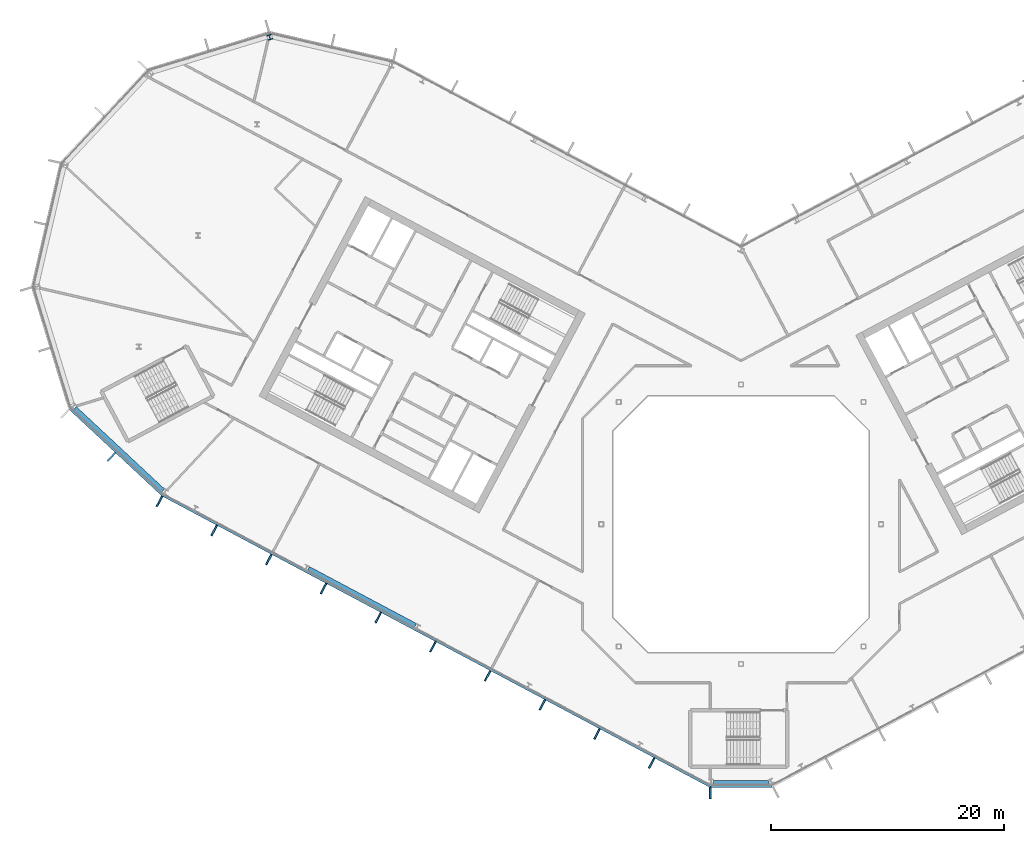
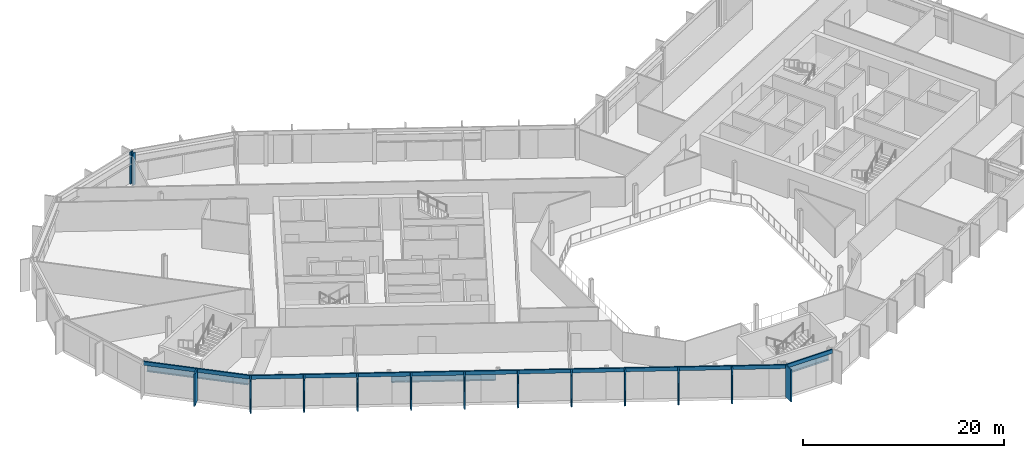
# One storey, part 8 of 27: 15 members, 3 beams, 1 column, 3 elements without a shape of their own.
"""IFC4 building model written with IfcOpenShell, lengths in metres."""

from ifc_helpers import new_model, si_unit, direction, frame, origin, origin_2d, place, context, subcontext, project, spatial, rectangle, i_section, extrude, material, layer, layer_set, material_profile, profile_set, type_object, element, aggregate, save


model = new_model("IFC4")

# Units and contexts
model_context = context("Model", 3, precision=1e-05, world=origin(), true_north=direction((0.0, 1.0)))
body_context = subcontext(model_context, "Body", "Model", "MODEL_VIEW")
ifc_project = project(units=[si_unit("LENGTHUNIT", "METRE"), si_unit("AREAUNIT", "SQUARE_METRE"), si_unit("VOLUMEUNIT", "CUBIC_METRE"), si_unit("PLANEANGLEUNIT", "RADIAN"), si_unit("MASSUNIT", "GRAM", prefix="KILO")], contexts=[model_context])

# Site, building, storey
site_placement = place(None, origin())
site = spatial("IfcSite", under=ifc_project, at=site_placement, CompositionType="ELEMENT")
building_placement = place(site_placement, origin())
building = spatial("IfcBuilding", under=site, at=building_placement, Name="Cormorant Relay Tower", CompositionType="ELEMENT")
storey_placement = place(building_placement, frame((0.0, 0.0, 240.300048828125)))
storey = spatial("IfcBuildingStorey", under=building, at=storey_placement, Name="L53", CompositionType="ELEMENT", Elevation=240.300048828125)

# Column
ifc_material_1 = material(Name="Steel ASTM A992 (Fy 345 MPa)", Category="steel")
ifc_material_profile_1 = material_profile(ifc_material_1, i_section(OverallWidth=0.41162109375, OverallDepth=0.434326171875, WebThickness=0.035888671875, FlangeThickness=0.057373046875, FilletRadius=0.01513671875, at=origin_2d()), Name="W360x463")
ifc_profile_set_1 = profile_set([ifc_material_profile_1], Name="Steel ASTM A992 (Fy 345 MPa)")
column_type = type_object("IfcColumnType", Name="Column W360x463", PredefinedType="COLUMN", material=ifc_profile_set_1)
column_placement = place(storey_placement, frame((-40.455078125, 41.803955078125, 0.0), z_axis=(0.0, 0.0, 1.0), x_axis=(-0.956304755963, -0.292371704723, 0.0)))
element("IfcColumn", 1, at=column_placement, inside=storey, type_object=column_type, Name="Column L53-045", PredefinedType="COLUMN", context=body_context, shape_type="SweptSolid", body=[
    extrude(i_section(OverallWidth=0.41162109375, OverallDepth=0.434326171875, WebThickness=0.035888671875, FlangeThickness=0.057373046875, FilletRadius=0.01513671875, at=origin_2d()), origin(), (0.0, 0.0, 1.0), 3.89990234375),
])

# Curtain wall, member
ifc_material_2 = material(Name="Aluminium 6063-T6 anodised bronze", Category="aluminium")
ifc_layer = layer(ifc_material_2, 0.199951171875)
ifc_layer_set = layer_set([ifc_layer], Name="CW1 unitised bronze curtain wall with vertical fins")
curtain_wall_type = type_object("IfcCurtainWallType", Name="CW1 unitised bronze curtain wall with vertical fins", PredefinedType="NOTDEFINED", material=ifc_layer_set)
curtain_wall_1_placement = place(storey_placement, origin())
curtain_wall_1 = element("IfcCurtainWall", 2, at=curtain_wall_1_placement, inside=storey, type_object=curtain_wall_type, Name="CW1 curtain wall 1", PredefinedType="NOTDEFINED")
ifc_material_3 = material(Name="Aluminium 6063-T6 anodised bronze", Category="aluminium")
ifc_material_profile_2 = material_profile(ifc_material_3, rectangle(XDim=0.14990234375, YDim=1.0, at=origin_2d()), Name="AL 150x1000")
ifc_profile_set_2 = profile_set([ifc_material_profile_2], Name="Aluminium 6063-T6 anodised bronze")
member_type_1 = type_object("IfcMemberType", Name="CW1 bronze fin mullion 150 x 1000", PredefinedType="MULLION", material=ifc_profile_set_2)
member_1_placement = place(storey_placement, frame((-2.648681640625, -23.07568359375, 0.0), z_axis=(0.0, 0.0, 1.0), x_axis=(1.0, 0.0, 0.0)))
member_1 = element("IfcMember", 3, at=member_1_placement, type_object=member_type_1, Name="CW1 fin 1.1", PredefinedType="MULLION", context=body_context, shape_type="SweptSolid", body=[
    extrude(rectangle(XDim=0.14990234375, YDim=1.0, at=origin_2d()), origin(), (0.0, 0.0, 1.0), 3.89990234375),
])

curtain_wall_2_placement = place(storey_placement, origin())
curtain_wall_2 = element("IfcCurtainWall", 4, at=curtain_wall_2_placement, inside=storey, type_object=curtain_wall_type, Name="CW1 curtain wall 15", PredefinedType="NOTDEFINED")
member_2_placement = place(storey_placement, frame((-54.0439453125, 5.779296875, 0.0), z_axis=(0.0, 0.0, 1.0), x_axis=(0.731353701619, -0.681998360062, 0.0)))
member_2 = element("IfcMember", 5, at=member_2_placement, type_object=member_type_1, Name="CW1 fin 15.2", PredefinedType="MULLION", context=body_context, shape_type="SweptSolid", body=[
    extrude(rectangle(XDim=0.14990234375, YDim=1.0, at=origin_2d()), origin(), (0.0, 0.0, 1.0), 3.89990234375),
])

# Curtain wall, members
curtain_wall_3_placement = place(storey_placement, origin())
curtain_wall_3 = element("IfcCurtainWall", 6, at=curtain_wall_3_placement, inside=storey, type_object=curtain_wall_type, Name="CW1 curtain wall 16", PredefinedType="NOTDEFINED")
member_3_placement = place(storey_placement, frame((-49.920166015625, 1.96630859375, 0.0), z_axis=(0.0, 0.0, 1.0), x_axis=(0.882947592859, -0.469471562786, 0.0)))
member_3 = element("IfcMember", 7, at=member_3_placement, type_object=member_type_1, Name="CW1 fin 16.1", PredefinedType="MULLION", context=body_context, shape_type="SweptSolid", body=[
    extrude(rectangle(XDim=0.14990234375, YDim=1.0, at=origin_2d()), origin(), (0.0, 0.0, 1.0), 3.89990234375),
])
member_4_placement = place(storey_placement, frame((-45.225830078125, -0.52978515625, 0.0), z_axis=(0.0, 0.0, 1.0), x_axis=(0.882947592859, -0.469471562786, 0.0)))
member_4 = element("IfcMember", 8, at=member_4_placement, type_object=member_type_1, Name="CW1 fin 16.2", PredefinedType="MULLION", context=body_context, shape_type="SweptSolid", body=[
    extrude(rectangle(XDim=0.14990234375, YDim=1.0, at=origin_2d()), origin(), (0.0, 0.0, 1.0), 3.89990234375),
])
member_5_placement = place(storey_placement, frame((-40.531494140625, -3.025634765625, 0.0), z_axis=(0.0, 0.0, 1.0), x_axis=(0.882947592859, -0.469471562786, 0.0)))
member_5 = element("IfcMember", 9, at=member_5_placement, type_object=member_type_1, Name="CW1 fin 16.3", PredefinedType="MULLION", context=body_context, shape_type="SweptSolid", body=[
    extrude(rectangle(XDim=0.14990234375, YDim=1.0, at=origin_2d()), origin(), (0.0, 0.0, 1.0), 3.89990234375),
])
member_6_placement = place(storey_placement, frame((-35.83740234375, -5.521728515625, 0.0), z_axis=(0.0, 0.0, 1.0), x_axis=(0.882947592859, -0.469471562786, 0.0)))
member_6 = element("IfcMember", 10, at=member_6_placement, type_object=member_type_1, Name="CW1 fin 16.4", PredefinedType="MULLION", context=body_context, shape_type="SweptSolid", body=[
    extrude(rectangle(XDim=0.14990234375, YDim=1.0, at=origin_2d()), origin(), (0.0, 0.0, 1.0), 3.89990234375),
])
member_7_placement = place(storey_placement, frame((-31.14306640625, -8.017578125, 0.0), z_axis=(0.0, 0.0, 1.0), x_axis=(0.882947592859, -0.469471562786, 0.0)))
member_7 = element("IfcMember", 11, at=member_7_placement, type_object=member_type_1, Name="CW1 fin 16.5", PredefinedType="MULLION", context=body_context, shape_type="SweptSolid", body=[
    extrude(rectangle(XDim=0.14990234375, YDim=1.0, at=origin_2d()), origin(), (0.0, 0.0, 1.0), 3.89990234375),
])
member_8_placement = place(storey_placement, frame((-26.44873046875, -10.513671875, 0.0), z_axis=(0.0, 0.0, 1.0), x_axis=(0.882947592859, -0.469471562786, 0.0)))
member_8 = element("IfcMember", 12, at=member_8_placement, type_object=member_type_1, Name="CW1 fin 16.6", PredefinedType="MULLION", context=body_context, shape_type="SweptSolid", body=[
    extrude(rectangle(XDim=0.14990234375, YDim=1.0, at=origin_2d()), origin(), (0.0, 0.0, 1.0), 3.89990234375),
])
member_9_placement = place(storey_placement, frame((-21.754638671875, -13.009765625, 0.0), z_axis=(0.0, 0.0, 1.0), x_axis=(0.882947592859, -0.469471562786, 0.0)))
member_9 = element("IfcMember", 13, at=member_9_placement, type_object=member_type_1, Name="CW1 fin 16.7", PredefinedType="MULLION", context=body_context, shape_type="SweptSolid", body=[
    extrude(rectangle(XDim=0.14990234375, YDim=1.0, at=origin_2d()), origin(), (0.0, 0.0, 1.0), 3.89990234375),
])
member_10_placement = place(storey_placement, frame((-17.060302734375, -15.505615234375, 0.0), z_axis=(0.0, 0.0, 1.0), x_axis=(0.882947592859, -0.469471562786, 0.0)))
member_10 = element("IfcMember", 14, at=member_10_placement, type_object=member_type_1, Name="CW1 fin 16.8", PredefinedType="MULLION", context=body_context, shape_type="SweptSolid", body=[
    extrude(rectangle(XDim=0.14990234375, YDim=1.0, at=origin_2d()), origin(), (0.0, 0.0, 1.0), 3.89990234375),
])
member_11_placement = place(storey_placement, frame((-12.365966796875, -18.001708984375, 0.0), z_axis=(0.0, 0.0, 1.0), x_axis=(0.882947592859, -0.469471562786, 0.0)))
member_11 = element("IfcMember", 15, at=member_11_placement, type_object=member_type_1, Name="CW1 fin 16.9", PredefinedType="MULLION", context=body_context, shape_type="SweptSolid", body=[
    extrude(rectangle(XDim=0.14990234375, YDim=1.0, at=origin_2d()), origin(), (0.0, 0.0, 1.0), 3.89990234375),
])
member_12_placement = place(storey_placement, frame((-7.671630859375, -20.49755859375, 0.0), z_axis=(0.0, 0.0, 1.0), x_axis=(0.882947592859, -0.469471562786, 0.0)))
member_12 = element("IfcMember", 16, at=member_12_placement, type_object=member_type_1, Name="CW1 fin 16.10", PredefinedType="MULLION", context=body_context, shape_type="SweptSolid", body=[
    extrude(rectangle(XDim=0.14990234375, YDim=1.0, at=origin_2d()), origin(), (0.0, 0.0, 1.0), 3.89990234375),
])

# Member
ifc_material_4 = material(Name="Aluminium 6063-T6 anodised bronze", Category="aluminium")
ifc_material_profile_3 = material_profile(ifc_material_4, rectangle(XDim=0.159912109375, YDim=0.449951171875, at=origin_2d()), Name="AL 160x450")
ifc_profile_set_3 = profile_set([ifc_material_profile_3], Name="Aluminium 6063-T6 anodised bronze")
member_type_2 = type_object("IfcMemberType", Name="CW1 bronze transom 160 x 450", PredefinedType="USERDEFINED", material=ifc_profile_set_3)
member_13_placement = place(storey_placement, frame((-2.648681640625, -22.49560546875, 3.675048828125), z_axis=(1.0, 0.0, 0.0), x_axis=(0.0, 1.0, 0.0)))
member_13 = element("IfcMember", 17, at=member_13_placement, type_object=member_type_2, Name="CW1 transom 1", ObjectType="TRANSOM", PredefinedType="USERDEFINED", context=body_context, shape_type="SweptSolid", body=[
    extrude(rectangle(XDim=0.159912109375, YDim=0.449951171875, at=origin_2d()), origin(), (0.0, 0.0, 1.0), 5.29736328125),
])

aggregate(curtain_wall_1, [member_1, member_13])

member_14_placement = place(storey_placement, frame((-57.62353515625, 9.91015625, 3.675048828125), z_axis=(0.731358420696, -0.681993299437, 0.0), x_axis=(0.681993299437, 0.731358420696, 0.0)))
member_14 = element("IfcMember", 18, at=member_14_placement, type_object=member_type_2, Name="CW1 transom 15", ObjectType="TRANSOM", PredefinedType="USERDEFINED", context=body_context, shape_type="SweptSolid", body=[
    extrude(rectangle(XDim=0.159912109375, YDim=0.449951171875, at=origin_2d()), origin(), (0.0, 0.0, 1.0), 10.870361328125),
])

aggregate(curtain_wall_2, [member_2, member_14])

member_15_placement = place(storey_placement, frame((-49.64794921875, 2.478515625, 3.675048828125), z_axis=(0.882947642542, -0.469471469346, 0.0), x_axis=(0.469471469346, 0.882947642542, 0.0)))
member_15 = element("IfcMember", 19, at=member_15_placement, type_object=member_type_2, Name="CW1 transom 16", ObjectType="TRANSOM", PredefinedType="USERDEFINED", context=body_context, shape_type="SweptSolid", body=[
    extrude(rectangle(XDim=0.159912109375, YDim=0.449951171875, at=origin_2d()), origin(), (0.0, 0.0, 1.0), 53.166015625),
])

aggregate(curtain_wall_3, [member_3, member_4, member_5, member_6, member_7, member_8, member_9, member_10, member_11, member_12, member_15])

# Beams
ifc_material_5 = material(Name="Steel ASTM A992 (Fy 345 MPa)", Category="steel")
ifc_material_profile_4 = material_profile(ifc_material_5, i_section(OverallWidth=0.4013671875, OverallDepth=0.990478515625, WebThickness=0.0166015625, FlangeThickness=0.031005859375, FilletRadius=0.030029296875, at=origin_2d()), Name="W1000x320")
ifc_profile_set_4 = profile_set([ifc_material_profile_4], Name="Steel ASTM A992 (Fy 345 MPa)")
beam_type = type_object("IfcBeamType", Name="Spandrel W1000x320", PredefinedType="SPANDREL", material=ifc_profile_set_4)
beam_1_placement = place(storey_placement, frame((-2.3701171875, -22.1748046875, 3.044677734375), z_axis=(1.0, 0.0, 0.0), x_axis=(0.0, 1.0, 0.0)))
element("IfcBeam", 20, at=beam_1_placement, inside=storey, type_object=beam_type, Name="Spandrel beam L53-001", PredefinedType="SPANDREL", context=body_context, shape_type="SweptSolid", body=[
    extrude(i_section(OverallWidth=0.4013671875, OverallDepth=0.990478515625, WebThickness=0.0166015625, FlangeThickness=0.031005859375, FilletRadius=0.030029296875, at=origin_2d()), origin(), (0.0, 0.0, 1.0), 4.761474609375),
])
beam_2_placement = place(storey_placement, frame((-57.19580078125, 9.94970703125, 3.044677734375), z_axis=(0.731351589689, -0.682000624824, 0.0), x_axis=(0.682000624824, 0.731351589689, 0.0)))
element("IfcBeam", 21, at=beam_2_placement, inside=storey, type_object=beam_type, Name="Spandrel beam L53-015", PredefinedType="SPANDREL", context=body_context, shape_type="SweptSolid", body=[
    extrude(i_section(OverallWidth=0.4013671875, OverallDepth=0.990478515625, WebThickness=0.0166015625, FlangeThickness=0.031005859375, FilletRadius=0.030029296875, at=origin_2d()), origin(), (0.0, 0.0, 1.0), 10.354248046875),
])
beam_3_placement = place(storey_placement, frame((-37.134033203125, -3.812255859375, 3.044677734375), z_axis=(0.882949648898, -0.469467695918, 0.0), x_axis=(0.469467695918, 0.882949648898, 0.0)))
element("IfcBeam", 22, at=beam_3_placement, inside=storey, type_object=beam_type, Name="Spandrel beam L53-016", PredefinedType="SPANDREL", context=body_context, shape_type="SweptSolid", body=[
    extrude(i_section(OverallWidth=0.4013671875, OverallDepth=0.990478515625, WebThickness=0.0166015625, FlangeThickness=0.031005859375, FilletRadius=0.030029296875, at=origin_2d()), origin(), (0.0, 0.0, 1.0), 10.39599609375),
])

save(model, "model.ifc")
